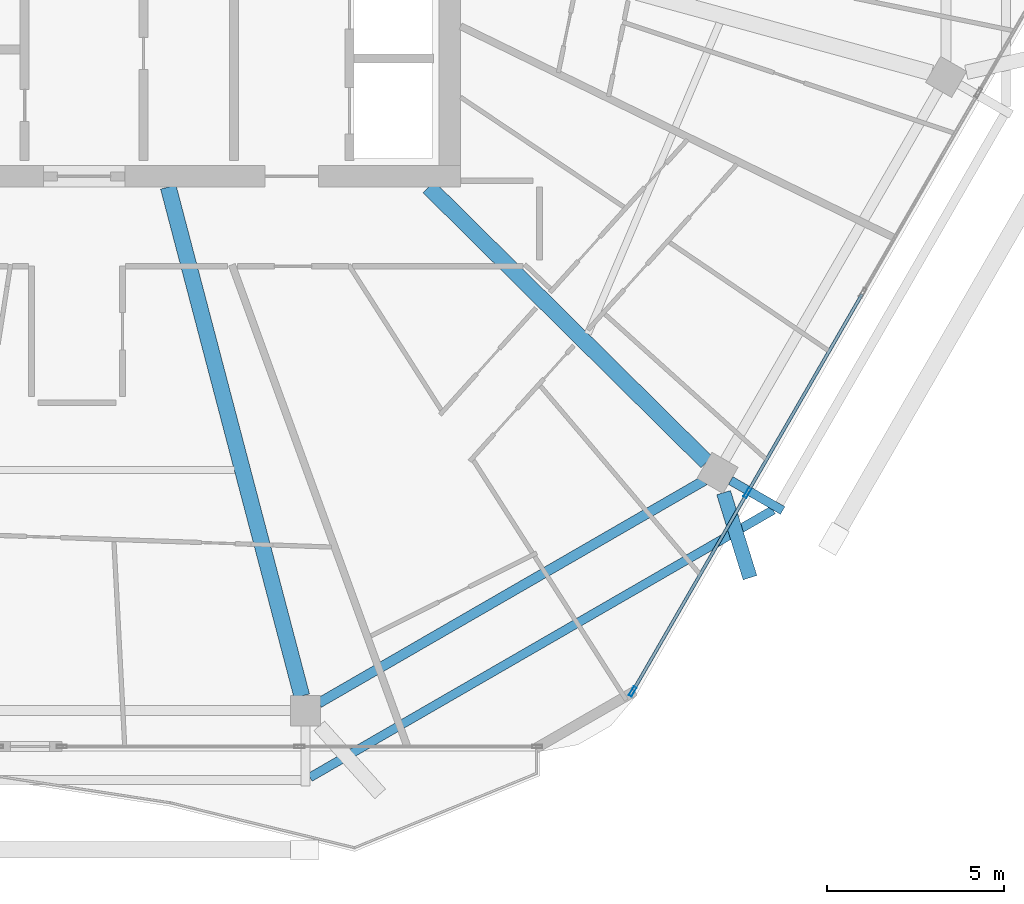
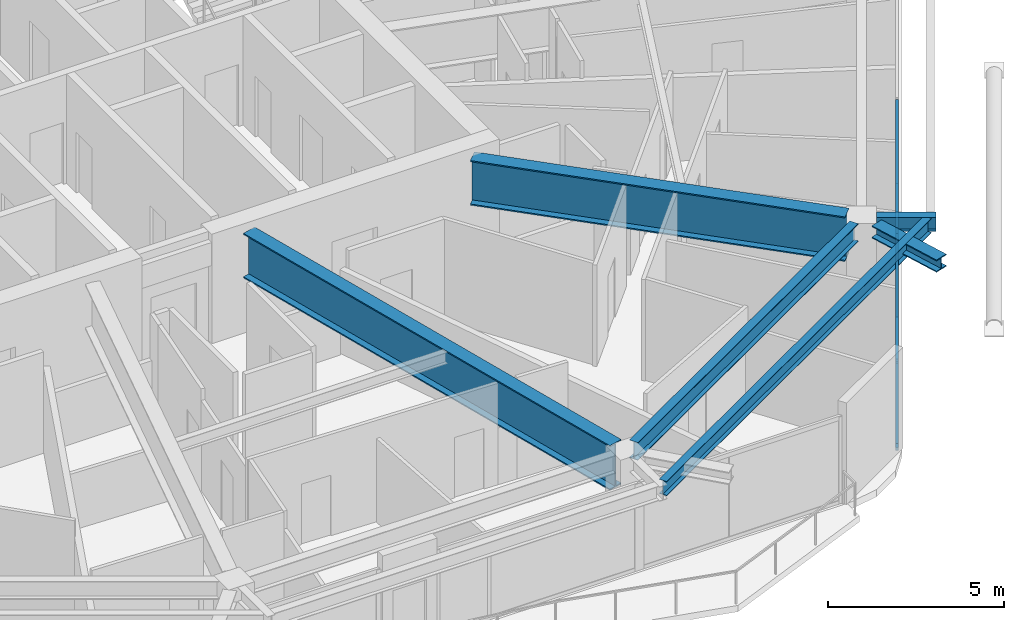
# One storey, part 9 of 26: 6 beams, 6 members, 1 element without a shape of its own.
"""IFC4 building model written with IfcOpenShell, lengths in metres."""

import ifcopenshell
import ifcopenshell.guid

model = None  # the IFC model being written
_history = None  # IfcOwnerHistory: only IFC2X3 demands one
_inside = {}  # id of a spatial element -> (the spatial element, [elements in it])
_under = {}  # id of a project, library or spatial element -> (it, [spatial elements below it])
_declared = {}  # id of a project -> (the project, [libraries it declares])
_typed = {}  # id of a type object -> (the type object, [elements of that type])
_made_of = {}  # id of a material, layer set ... -> (it, [elements and type objects made of it])


def new_model(schema):
    """Start an empty IFC model of exactly this schema.

    Asked for "IFC4X3", IfcOpenShell would pick the latest addendum, in which some entities
    have other attributes; the version numbers below select the first issue.
    IFC2X3 requires an IfcOwnerHistory on every rooted entity: one is made here for all.
    """
    global model, _history
    if schema == "IFC4X3":
        model = ifcopenshell.file(schema_version=(4, 3, 0, 0))
    else:
        model = ifcopenshell.file(schema=schema)
    _inside.clear()
    _under.clear()
    _declared.clear()
    _typed.clear()
    _made_of.clear()
    _history = None
    if model.schema == "IFC2X3":
        org = make("IfcOrganization", Name="unknown")
        user = make(
            "IfcPersonAndOrganization",
            ThePerson=make("IfcPerson", FamilyName="unknown"),
            TheOrganization=org,
        )
        app = make(
            "IfcApplication",
            ApplicationDeveloper=org,
            Version="unknown",
            ApplicationFullName="unknown",
            ApplicationIdentifier="unknown",
        )
        _history = make(
            "IfcOwnerHistory",
            OwningUser=user,
            OwningApplication=app,
            ChangeAction="ADDED",
            CreationDate=0,
        )
    return model


def make(cls, **values):
    """One entity of the class cls with the attributes given. An attribute that is None is left unset."""
    return model.create_entity(
        cls, **{name: value for name, value in values.items() if value is not None}
    )


def rooted(cls, **values):
    """An entity with a GlobalId (a new one), such as an element, a storey or a relation."""
    return make(cls, GlobalId=ifcopenshell.guid.new(), OwnerHistory=_history, **values)


def si_unit(unit_type, name, prefix=None):
    """IfcSIUnit, for example si_unit("LENGTHUNIT", "METRE", prefix="MILLI")."""
    return make("IfcSIUnit", UnitType=unit_type, Prefix=prefix, Name=name)


def assignment(units):
    """IfcUnitAssignment: the units of a project."""
    return None if units is None else make("IfcUnitAssignment", Units=units)


def point(xyz):
    """IfcCartesianPoint."""
    return None if xyz is None else make("IfcCartesianPoint", Coordinates=xyz)


def direction(xyz):
    """IfcDirection."""
    return None if xyz is None else make("IfcDirection", DirectionRatios=xyz)


def frame(location, z_axis=None, x_axis=None):
    """IfcAxis2Placement3D, a coordinate frame: its origin and axes. An axis left out is left unset."""
    return make(
        "IfcAxis2Placement3D",
        Location=point(location),
        Axis=direction(z_axis),
        RefDirection=direction(x_axis),
    )


def frame_2d(location, x_axis=None):
    """IfcAxis2Placement2D, a coordinate frame in the plane: its origin and x axis."""
    return make(
        "IfcAxis2Placement2D", Location=point(location), RefDirection=direction(x_axis)
    )


def origin():
    """The frame at (0, 0, 0) with its axes left unset."""
    return frame((0.0, 0.0, 0.0))


def origin_2d():
    """The frame at (0, 0) in the plane with its x axis left unset."""
    return frame_2d((0.0, 0.0))


def place(relative_to, where):
    """IfcLocalPlacement: puts the frame where relative to a parent placement (None: the world)."""
    return make(
        "IfcLocalPlacement", PlacementRelTo=relative_to, RelativePlacement=where
    )


def context(
    kind, dimensions, precision=None, world=None, true_north=None, identifier=None
):
    """IfcGeometricRepresentationContext, for example the 3D "Model" context."""
    return make(
        "IfcGeometricRepresentationContext",
        ContextIdentifier=identifier,
        ContextType=kind,
        CoordinateSpaceDimension=dimensions,
        Precision=precision,
        WorldCoordinateSystem=world,
        TrueNorth=true_north,
    )


def subcontext(parent, identifier, kind, view, scale=None):
    """IfcGeometricRepresentationSubContext, for example "Body" below "Model"."""
    return make(
        "IfcGeometricRepresentationSubContext",
        ContextIdentifier=identifier,
        ContextType=kind,
        ParentContext=parent,
        TargetScale=scale,
        TargetView=view,
    )


def project(units=None, contexts=None):
    """IfcProject with its units and contexts."""
    return rooted(
        "IfcProject",
        Name="project",
        RepresentationContexts=contexts,
        UnitsInContext=assignment(units),
    )


def spatial(cls, under=None, at=None, **own):
    """A site, building, storey or space (cls), placed at a placement, below another one or the project."""
    s = rooted(cls, ObjectPlacement=at, **own)
    if under is not None:
        _under.setdefault(under.id(), (under, []))[1].append(s)
    return s


def profile(cls, at=None, kind="AREA", **sizes):
    """A parametric profile (cls). Its sizes go by their IFC names, for example OverallWidth=200.0."""
    return make(cls, ProfileType=kind, Position=at, **sizes)


def hollow_rectangle(**sizes):
    """IfcRectangleHollowProfileDef."""
    return profile("IfcRectangleHollowProfileDef", **sizes)


def i_section(**sizes):
    """IfcIShapeProfileDef."""
    return profile("IfcIShapeProfileDef", **sizes)


def extrude(swept, where, along, depth):
    """IfcExtrudedAreaSolid: the profile swept, set in the frame where, extruded along a direction by depth."""
    return make(
        "IfcExtrudedAreaSolid",
        SweptArea=swept,
        Position=where,
        ExtrudedDirection=direction(along),
        Depth=depth,
    )


def shape(context_of_items, identifier, shape_type, items):
    """IfcShapeRepresentation: the items that make up one representation, for example the "Body"."""
    return make(
        "IfcShapeRepresentation",
        ContextOfItems=context_of_items,
        RepresentationIdentifier=identifier,
        RepresentationType=shape_type,
        Items=items,
    )


def material(Name=None, Category=None):
    """IfcMaterial."""
    return make("IfcMaterial", Name=Name, Category=Category)


def material_profile(
    of_material, cross_section, Name=None, Category=None, Priority=None
):
    """IfcMaterialProfile: a cross section and its material."""
    return make(
        "IfcMaterialProfile",
        Name=Name,
        Material=of_material,
        Profile=cross_section,
        Priority=Priority,
        Category=Category,
    )


def profile_set(profiles, Name=None, composite=None):
    """IfcMaterialProfileSet."""
    return make(
        "IfcMaterialProfileSet",
        Name=Name,
        MaterialProfiles=profiles,
        CompositeProfile=composite,
    )


def made_of(thing, what):
    """Note that an element or type object is made of a material, layer set ...; save() writes the relation."""
    if what is not None:
        _made_of.setdefault(what.id(), (what, []))[1].append(thing)
    return thing


def type_object(cls, material=None, **own):
    """A type object (cls), such as IfcWallType, which elements share."""
    return made_of(rooted(cls, **own), material)


def element(
    cls,
    number,
    at=None,
    inside=None,
    cuts=None,
    type_object=None,
    material=None,
    context=None,
    identifier="Body",
    shape_type=None,
    held_by="IfcProductDefinitionShape",
    body=None,
    shapes=None,
    **own,
):
    """One element of the class cls, such as IfcWall. Its Tag is "e" and its number.

    at: its placement. inside: the storey or other place that contains it. cuts: it is an
    opening in that element (IfcRelVoidsElement). A single representation is given by context,
    identifier, shape_type and body (its items); several are given by shapes. held_by: the class
    of the entity that holds the representations. save() writes the other relations.
    """
    e = rooted(cls, Tag="e%d" % number, ObjectPlacement=at, **own)
    if body is not None:
        shapes = [shape(context, identifier, shape_type, body)]
    if shapes is not None:
        e.Representation = make(held_by, Representations=shapes)
    if inside is not None:
        _inside.setdefault(inside.id(), (inside, []))[1].append(e)
    if cuts is not None:
        rooted(
            "IfcRelVoidsElement", RelatingBuildingElement=cuts, RelatedOpeningElement=e
        )
    if type_object is not None:
        _typed.setdefault(type_object.id(), (type_object, []))[1].append(e)
    return made_of(e, material)


def aggregate(whole, parts):
    """IfcRelAggregates: a whole, such as a stair, and the parts it consists of."""
    return rooted("IfcRelAggregates", RelatingObject=whole, RelatedObjects=parts)


def save(model, path):
    """Write the relations noted so far, then the file.

    IfcRelAggregates (storeys below a building ...), IfcRelContainedInSpatialStructure (elements
    in a storey), IfcRelDefinesByType, IfcRelAssociatesMaterial and IfcRelDeclares: one each for
    every whole, place, type object, material and project.
    """
    for whole, parts in _under.values():
        aggregate(whole, parts)
    for where, things in _inside.values():
        rooted(
            "IfcRelContainedInSpatialStructure",
            RelatedElements=things,
            RelatingStructure=where,
        )
    for kind, things in _typed.values():
        rooted("IfcRelDefinesByType", RelatedObjects=things, RelatingType=kind)
    for what, things in _made_of.values():
        rooted("IfcRelAssociatesMaterial", RelatedObjects=things, RelatingMaterial=what)
    for by, libraries in _declared.values():
        rooted("IfcRelDeclares", RelatingContext=by, RelatedDefinitions=libraries)
    model.write(path)


model = new_model("IFC4")

# Units and contexts
model_context = context("Model", 3, precision=1e-05, world=origin(), true_north=direction((0.0, 1.0)))
body_context = subcontext(model_context, "Body", "Model", "MODEL_VIEW")
ifc_project = project(units=[si_unit("LENGTHUNIT", "METRE"), si_unit("AREAUNIT", "SQUARE_METRE"), si_unit("VOLUMEUNIT", "CUBIC_METRE"), si_unit("PLANEANGLEUNIT", "RADIAN"), si_unit("MASSUNIT", "GRAM", prefix="KILO")], contexts=[model_context])

# Site, building, storey
site_placement = place(None, origin())
site = spatial("IfcSite", under=ifc_project, at=site_placement, CompositionType="ELEMENT")
building_placement = place(site_placement, origin())
building = spatial("IfcBuilding", under=site, at=building_placement, Name="Zuhravey Tower", CompositionType="ELEMENT")
storey_placement = place(building_placement, frame((0.0, 0.0, 299.60009765625)))
storey = spatial("IfcBuildingStorey", under=building, at=storey_placement, Name="L76", CompositionType="ELEMENT", Elevation=299.60009765625)

# Curtain wall, members
ifc_material_1 = material(Name="Thermally broken anodised aluminium", Category="aluminium")
curtain_wall_type = type_object("IfcCurtainWallType", Name="Zone 3-4 High-Rise Curtain Wall CW4", PredefinedType="NOTDEFINED", material=ifc_material_1)
curtain_wall_placement = place(storey_placement, origin())
curtain_wall = element("IfcCurtainWall", 1, at=curtain_wall_placement, inside=storey, type_object=curtain_wall_type, Name="L76 CW4 CW-L76-F6-1", PredefinedType="NOTDEFINED")
ifc_material_2 = material(Name="Anodised aluminium", Category="aluminium")
ifc_material_profile_1 = material_profile(ifc_material_2, hollow_rectangle(XDim=0.090087890625, YDim=0.284912109375, WallThickness=0.0048828125, at=origin_2d()), Name="ALU-RHS-90x285x5")
ifc_profile_set_1 = profile_set([ifc_material_profile_1], Name="Anodised aluminium")
member_type_1 = type_object("IfcMemberType", Name="Curtain-Wall Mullion 90x180", PredefinedType="MULLION", material=ifc_profile_set_1)
member_1_placement = place(storey_placement, frame((54.885498046875, 13.58349609375, 0.0), z_axis=(0.0, 0.0, 1.0), x_axis=(0.866024851021, -0.500000957414, 0.0)))
member_1 = element("IfcMember", 2, at=member_1_placement, type_object=member_type_1, Name="CW4 mullion 4", PredefinedType="MULLION", context=body_context, shape_type="SweptSolid", body=[
    extrude(hollow_rectangle(XDim=0.090087890625, YDim=0.284912109375, WallThickness=0.0048828125, at=origin_2d()), origin(), (0.0, 0.0, 1.0), 3.02001953125),
])
member_2_placement = place(storey_placement, frame((51.65478515625, 7.98779296875, 0.0), z_axis=(0.0, 0.0, 1.0), x_axis=(0.866024851021, -0.500000957414, 0.0)))
member_2 = element("IfcMember", 3, at=member_2_placement, type_object=member_type_1, Name="CW4 mullion 5", PredefinedType="MULLION", context=body_context, shape_type="SweptSolid", body=[
    extrude(hollow_rectangle(XDim=0.090087890625, YDim=0.284912109375, WallThickness=0.0048828125, at=origin_2d()), origin(), (0.0, 0.0, 1.0), 3.02001953125),
])
ifc_material_profile_2 = material_profile(ifc_material_2, hollow_rectangle(XDim=0.090087890625, YDim=0.14990234375, WallThickness=0.0048828125, at=origin_2d()), Name="ALU-RHS-90x150x5")
ifc_profile_set_2 = profile_set([ifc_material_profile_2], Name="Anodised aluminium")
member_type_2 = type_object("IfcMemberType", Name="Curtain-Wall Transom 90x150", PredefinedType="USERDEFINED", material=ifc_profile_set_2)
member_3_placement = place(storey_placement, frame((58.1162109375, 19.17919921875, 0.044921875), z_axis=(-0.500014493347, -0.866017035885, 0.0), x_axis=(0.866017035885, -0.500014493347, 0.0)))
member_3 = element("IfcMember", 4, at=member_3_placement, type_object=member_type_2, Name="CW4 transom 3.1", ObjectType="TRANSOM", PredefinedType="USERDEFINED", context=body_context, shape_type="SweptSolid", body=[
    extrude(hollow_rectangle(XDim=0.090087890625, YDim=0.14990234375, WallThickness=0.0048828125, at=origin_2d()), origin(), (0.0, 0.0, 1.0), 6.416259765625),
])
member_4_placement = place(storey_placement, frame((58.1162109375, 19.17919921875, 2.974853515625), z_axis=(-0.500014493347, -0.866017035885, 0.0), x_axis=(0.866017035885, -0.500014493347, 0.0)))
member_4 = element("IfcMember", 5, at=member_4_placement, type_object=member_type_2, Name="CW4 transom 3.2", ObjectType="TRANSOM", PredefinedType="USERDEFINED", context=body_context, shape_type="SweptSolid", body=[
    extrude(hollow_rectangle(XDim=0.090087890625, YDim=0.14990234375, WallThickness=0.0048828125, at=origin_2d()), origin(), (0.0, 0.0, 1.0), 6.416259765625),
])
member_5_placement = place(storey_placement, frame((54.863037109375, 13.544677734375, 0.044921875), z_axis=(-0.499980071345, -0.866036909293, 0.0), x_axis=(0.866036909293, -0.499980071345, 0.0)))
member_5 = element("IfcMember", 6, at=member_5_placement, type_object=member_type_2, Name="CW4 transom 4.1", ObjectType="TRANSOM", PredefinedType="USERDEFINED", context=body_context, shape_type="SweptSolid", body=[
    extrude(hollow_rectangle(XDim=0.090087890625, YDim=0.14990234375, WallThickness=0.0048828125, at=origin_2d()), origin(), (0.0, 0.0, 1.0), 6.371337890625),
])
member_6_placement = place(storey_placement, frame((54.863037109375, 13.544677734375, 2.974853515625), z_axis=(-0.499980071345, -0.866036909293, 0.0), x_axis=(0.866036909293, -0.499980071345, 0.0)))
member_6 = element("IfcMember", 7, at=member_6_placement, type_object=member_type_2, Name="CW4 transom 4.2", ObjectType="TRANSOM", PredefinedType="USERDEFINED", context=body_context, shape_type="SweptSolid", body=[
    extrude(hollow_rectangle(XDim=0.090087890625, YDim=0.14990234375, WallThickness=0.0048828125, at=origin_2d()), origin(), (0.0, 0.0, 1.0), 6.371337890625),
])
aggregate(curtain_wall, [member_1, member_2, member_3, member_4, member_5, member_6])

# Beams
ifc_material_3 = material(Name="Steel SM460", Category="steel")
ifc_material_profile_3 = material_profile(ifc_material_3, i_section(OverallWidth=0.406982421875, OverallDepth=0.427978515625, WebThickness=0.02001953125, FlangeThickness=0.034912109375, at=origin_2d()), Name="H-428x407x20x35")
ifc_profile_set_3 = profile_set([ifc_material_profile_3], Name="Steel SM460")
beam_type_1 = type_object("IfcBeamType", Name="Exoskeleton Node Tie Beam H428x407", PredefinedType="BEAM", material=ifc_profile_set_3)
beam_1_placement = place(storey_placement, frame((54.21630859375, 13.588623046875, 3.305908203125), z_axis=(0.296390030166, -0.955066987189, 0.0), x_axis=(0.955066987189, 0.296390030166, 0.0)))
element("IfcBeam", 8, at=beam_1_placement, inside=storey, type_object=beam_type_1, Name="L76 Exoskeleton Node Tie NT1-11", PredefinedType="BEAM", context=body_context, shape_type="SweptSolid", body=[
    extrude(i_section(OverallWidth=0.406982421875, OverallDepth=0.427978515625, WebThickness=0.02001953125, FlangeThickness=0.034912109375, at=origin_2d()), origin(), (0.0, 0.0, 1.0), 2.50830078125),
])
ifc_material_profile_4 = material_profile(ifc_material_3, i_section(OverallWidth=0.449951171875, OverallDepth=1.550048828125, WebThickness=0.02587890625, FlangeThickness=0.0419921875, at=origin_2d()), Name="H-1550x450x26x42")
ifc_profile_set_4 = profile_set([ifc_material_profile_4], Name="Steel SM460")
beam_type_2 = type_object("IfcBeamType", Name="Heavy Setback Transfer Girder H1550x450", PredefinedType="BEAM", material=ifc_profile_set_4)
beam_2_placement = place(storey_placement, frame((38.571533203125, 22.197021484375, 2.744873046875), z_axis=(0.25373188956, -0.967274587809, 0.0), x_axis=(0.967274587809, 0.25373188956, 0.0)))
element("IfcBeam", 9, at=beam_2_placement, inside=storey, type_object=beam_type_2, Name="L76 TG3 BM-L76-RAD-10", PredefinedType="BEAM", context=body_context, shape_type="SweptSolid", body=[
    extrude(i_section(OverallWidth=0.449951171875, OverallDepth=1.550048828125, WebThickness=0.02587890625, FlangeThickness=0.0419921875, at=origin_2d()), origin(), (0.0, 0.0, 1.0), 14.82177734375),
])
beam_3_placement = place(storey_placement, frame((45.90673828125, 22.197021484375, 2.744873046875), z_axis=(0.710808169267, -0.70338591577, 0.0), x_axis=(0.70338591577, 0.710808169267, 0.0)))
element("IfcBeam", 10, at=beam_3_placement, inside=storey, type_object=beam_type_2, Name="L76 TG3 BM-L76-RAD-11", PredefinedType="BEAM", context=body_context, shape_type="SweptSolid", body=[
    extrude(i_section(OverallWidth=0.449951171875, OverallDepth=1.550048828125, WebThickness=0.02587890625, FlangeThickness=0.0419921875, at=origin_2d()), origin(), (0.0, 0.0, 1.0), 11.019287109375),
])
ifc_material_4 = material(Name="Steel SM355", Category="steel")
ifc_material_profile_5 = material_profile(ifc_material_4, i_section(OverallWidth=0.280029296875, OverallDepth=0.6201171875, WebThickness=0.011962890625, FlangeThickness=0.02001953125, at=origin_2d()), Name="H-620x280x12x20")
ifc_profile_set_5 = profile_set([ifc_material_profile_5], Name="Steel SM355")
beam_type_3 = type_object("IfcBeamType", Name="Perimeter Ring Beam H620x280", PredefinedType="BEAM", material=ifc_profile_set_5)
beam_4_placement = place(storey_placement, frame((42.8115234375, 7.660400390625, 3.2099609375), z_axis=(0.866018312875, 0.500012281615, 0.0), x_axis=(-0.500012281615, 0.866018312875, 0.0)))
element("IfcBeam", 11, at=beam_4_placement, inside=storey, type_object=beam_type_3, Name="L76 PB3 BM-L76-PB-10", PredefinedType="BEAM", context=body_context, shape_type="SweptSolid", body=[
    extrude(i_section(OverallWidth=0.280029296875, OverallDepth=0.6201171875, WebThickness=0.011962890625, FlangeThickness=0.02001953125, at=origin_2d()), origin(), (0.0, 0.0, 1.0), 12.541748046875),
])
ifc_material_profile_6 = material_profile(ifc_material_4, i_section(OverallWidth=0.25, OverallDepth=0.5, WebThickness=0.010009765625, FlangeThickness=0.01611328125, at=origin_2d()), Name="H-500x250x10x16")
ifc_profile_set_6 = profile_set([ifc_material_profile_6], Name="Steel SM355")
beam_type_4 = type_object("IfcBeamType", Name="Tray Cantilever Spandrel H500x250", PredefinedType="SPANDREL", material=ifc_profile_set_6)
beam_5_placement = place(storey_placement, frame((54.4150390625, 13.930908203125, 3.27001953125), z_axis=(0.865995664872, -0.50005150577, 0.0), x_axis=(0.50005150577, 0.865995664872, 0.0)))
element("IfcBeam", 12, at=beam_5_placement, inside=storey, type_object=beam_type_4, Name="L76 Sky-Tray Cantilever Arm TSB1-R11", PredefinedType="SPANDREL", context=body_context, shape_type="SweptSolid", body=[
    extrude(i_section(OverallWidth=0.25, OverallDepth=0.5, WebThickness=0.010009765625, FlangeThickness=0.01611328125, at=origin_2d()), origin(), (0.0, 0.0, 1.0), 1.691162109375),
])
beam_6_placement = place(storey_placement, frame((42.562255859375, 5.56640625, 3.27001953125), z_axis=(0.866019911426, 0.500009512923, 0.0), x_axis=(-0.500009512923, 0.866019911426, 0.0)))
element("IfcBeam", 13, at=beam_6_placement, inside=storey, type_object=beam_type_4, Name="L76 Sky-Tray Edge Spandrel TSB1-10", PredefinedType="SPANDREL", context=body_context, shape_type="SweptSolid", body=[
    extrude(i_section(OverallWidth=0.25, OverallDepth=0.5, WebThickness=0.010009765625, FlangeThickness=0.01611328125, at=origin_2d()), origin(), (0.0, 0.0, 1.0), 15.067626953125),
])

save(model, "model.ifc")
